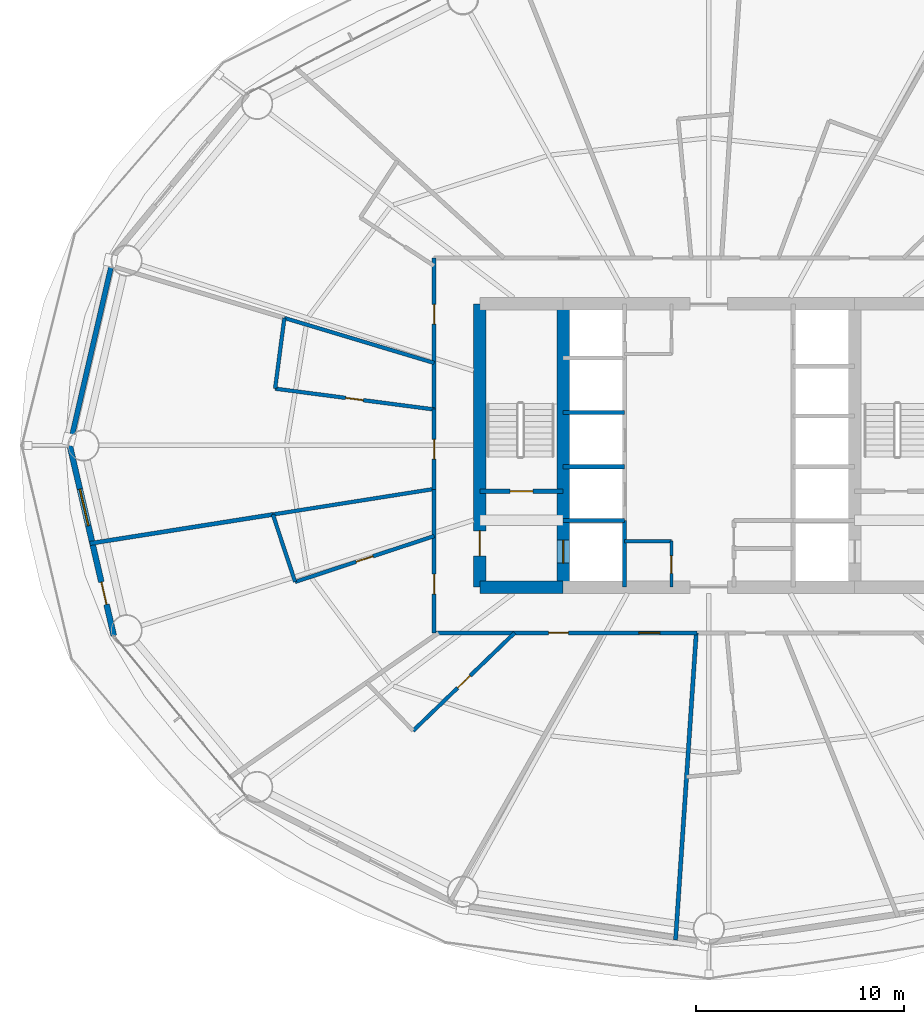
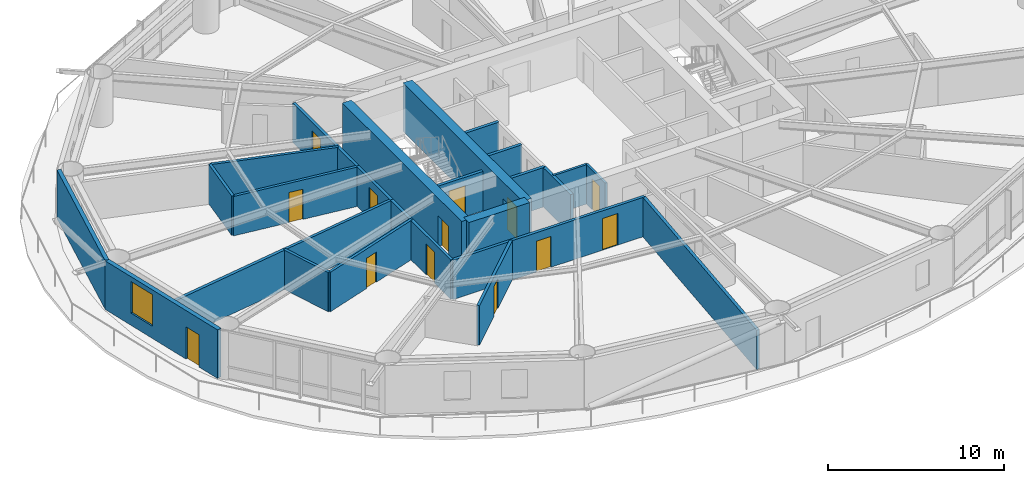
# One storey, part 22 of 28: 25 walls, 13 doors, 1 window, 14 openings.
"""IFC4 building model written with IfcOpenShell, lengths in metres."""

from ifc_helpers import new_model, si_unit, direction, frame, frame_2d, origin, place, context, subcontext, project, spatial, rectangle, extrude, material, layer, layer_set, type_object, element, fill, save


model = new_model("IFC4")

# Units and contexts
model_context = context("Model", 3, precision=1e-05, world=origin(), true_north=direction((0.0, 1.0)))
body_context = subcontext(model_context, "Body", "Model", "MODEL_VIEW")
ifc_project = project(units=[si_unit("LENGTHUNIT", "METRE"), si_unit("AREAUNIT", "SQUARE_METRE"), si_unit("VOLUMEUNIT", "CUBIC_METRE"), si_unit("PLANEANGLEUNIT", "RADIAN"), si_unit("MASSUNIT", "GRAM", prefix="KILO")], contexts=[model_context])

# Site, building, storey
site_placement = place(None, origin())
site = spatial("IfcSite", under=ifc_project, at=site_placement, CompositionType="ELEMENT")
building_placement = place(site_placement, origin())
building = spatial("IfcBuilding", under=site, at=building_placement, Name="Sarneth Arch Tower", CompositionType="ELEMENT")
storey_placement = place(building_placement, frame((0.0, 0.0, 67.800048828125)))
storey = spatial("IfcBuildingStorey", under=building, at=storey_placement, Name="L16", CompositionType="ELEMENT", Elevation=67.800048828125)

# Wall
ifc_material_1 = material(Name="Concrete C60/75", Category="concrete")
ifc_layer_1 = layer(ifc_material_1, 0.60009765625)
ifc_layer_set_1 = layer_set([ifc_layer_1], Name="Concrete C60/75")
wall_type_1 = type_object("IfcWallType", Name="WALL-CORE-600", PredefinedType="SHEAR", material=ifc_layer_set_1)
wall_1_placement = place(storey_placement, frame((37.0, 35.199951171875, 0.0), z_axis=(0.0, 0.0, 1.0), x_axis=(1.0, 0.0, 0.0)))
element("IfcWall", 1, at=wall_1_placement, inside=storey, type_object=wall_type_1, Name="L16 Core shear wall S-W", PredefinedType="SHEAR", context=body_context, shape_type="SweptSolid", body=[
    extrude(rectangle(XDim=4.0, YDim=0.60009765625, at=frame_2d((2.0, 0.0))), origin(), (0.0, 0.0, 1.0), 3.3798828125),
])

# Wall, opening, door
wall_2_placement = place(storey_placement, frame((37.0, 35.199951171875, 0.0), z_axis=(0.0, 0.0, 1.0), x_axis=(0.0, 1.0, 0.0)))
wall_2 = element("IfcWall", 2, at=wall_2_placement, inside=storey, type_object=wall_type_1, Name="L16 Core shear wall W", PredefinedType="SHEAR", context=body_context, shape_type="SweptSolid", body=[
    extrude(rectangle(XDim=13.60009765625, YDim=0.60009765625, at=frame_2d((6.800048828125, 0.0))), origin(), (0.0, 0.0, 1.0), 3.3798828125),
])
opening_1_placement = place(wall_2_placement, frame((1.5, 0.0, 0.0)))
opening_1 = element("IfcOpeningElement", 3, at=opening_1_placement, cuts=wall_2, Name="Opening FD-02", PredefinedType="OPENING", context=body_context, shape_type="SweptSolid", body=[
    extrude(rectangle(XDim=1.199951171875, YDim=2.14990234375, at=frame_2d((0.60009765625, 1.074951171875))), frame((0.0, 0.31005859375, 0.0), z_axis=(0.0, -1.0, 0.0), x_axis=(1.0, 0.0, 0.0)), (0.0, 0.0, 1.0), 0.6201171875),
])
ifc_material_2 = material(Name="Galvanised Steel S275 fire door set", Category="steel")
door_type_1 = type_object("IfcDoorType", Name="DR-FD90-1200", OperationType="SINGLE_SWING_LEFT", PredefinedType="DOOR", material=ifc_material_2)
door_1_placement = place(opening_1_placement, origin())
door_1 = element("IfcDoor", 4, at=door_1_placement, inside=storey, type_object=door_type_1, Name="L16 Firefighting lobby 1 exit door", OperationType="SINGLE_SWING_LEFT", OverallHeight=2.14990234375, OverallWidth=1.199951171875, PredefinedType="DOOR", context=body_context, shape_type="SweptSolid", body=[
    extrude(rectangle(XDim=1.199951171875, YDim=2.14990234375, at=frame_2d((0.60009765625, 1.074951171875))), frame((0.0, 0.02490234375, 0.0), z_axis=(0.0, -1.0, 0.0), x_axis=(1.0, 0.0, 0.0)), (0.0, 0.0, 1.0), 0.050048828125),
])
fill(opening_1, door_1)

wall_3_placement = place(storey_placement, frame((41.0, 35.199951171875, 0.0), z_axis=(0.0, 0.0, 1.0), x_axis=(0.0, 1.0, 0.0)))
wall_3 = element("IfcWall", 5, at=wall_3_placement, inside=storey, type_object=wall_type_1, Name="L16 Core shear wall WEB-W", PredefinedType="SHEAR", context=body_context, shape_type="SweptSolid", body=[
    extrude(rectangle(XDim=13.60009765625, YDim=0.60009765625, at=frame_2d((6.800048828125, 0.0))), origin(), (0.0, 0.0, 1.0), 3.3798828125),
])
opening_2_placement = place(wall_3_placement, frame((1.14990234375, 0.0, 0.0)))
opening_2 = element("IfcOpeningElement", 6, at=opening_2_placement, cuts=wall_3, Name="Opening LD-1", PredefinedType="OPENING", context=body_context, shape_type="SweptSolid", body=[
    extrude(rectangle(XDim=1.10009765625, YDim=2.199951171875, at=frame_2d((0.550048828125, 1.10009765625))), frame((0.0, 0.31005859375, 0.0), z_axis=(0.0, -1.0, 0.0), x_axis=(1.0, 0.0, 0.0)), (0.0, 0.0, 1.0), 0.6201171875),
])
ifc_material_3 = material(Name="Brushed Stainless Steel 304 lift landing door", Category="steel")
door_type_2 = type_object("IfcDoorType", Name="DR-LIFT-SLIDE-1100", OperationType="SLIDING_TO_LEFT", PredefinedType="DOOR", material=ifc_material_3)
door_2_placement = place(opening_2_placement, origin())
door_2 = element("IfcDoor", 7, at=door_2_placement, inside=storey, type_object=door_type_2, Name="L16 Firefighting lift landing door FL-1", OperationType="SLIDING_TO_LEFT", OverallHeight=2.199951171875, OverallWidth=1.10009765625, PredefinedType="DOOR", context=body_context, shape_type="SweptSolid", body=[
    extrude(rectangle(XDim=1.10009765625, YDim=2.199951171875, at=frame_2d((0.550048828125, 1.10009765625))), frame((0.0, 0.02490234375, 0.0), z_axis=(0.0, -1.0, 0.0), x_axis=(1.0, 0.0, 0.0)), (0.0, 0.0, 1.0), 0.050048828125),
])
fill(opening_2, door_2)

ifc_material_4 = material(Name="Double steel-stud corridor fire wall", Category="steel")
ifc_layer_2 = layer(ifc_material_4, 0.18994140625)
ifc_layer_set_2 = layer_set([ifc_layer_2], Name="Double steel-stud corridor fire wall")
wall_type_2 = type_object("IfcWallType", Name="WALL-CORR-190", PredefinedType="PARTITIONING", material=ifc_layer_set_2)
wall_4_placement = place(storey_placement, frame((34.800048828125, 43.727783203125, 0.0), z_axis=(0.0, 0.0, 1.0), x_axis=(0.0, 1.0, 0.0)))
wall_4 = element("IfcWall", 8, at=wall_4_placement, inside=storey, type_object=wall_type_2, Name="L16 Interior partition W-L16-TP-010", PredefinedType="PARTITIONING", context=body_context, shape_type="SweptSolid", body=[
    extrude(rectangle(XDim=7.272216796875, YDim=0.18994140625, at=frame_2d((3.63623046875, 0.0))), origin(), (0.0, 0.0, 1.0), 2.739990234375),
])
opening_3_placement = place(wall_4_placement, frame((4.095703125, 0.0, 0.0)))
opening_3 = element("IfcOpeningElement", 9, at=opening_3_placement, cuts=wall_4, Name="Opening FD-09", PredefinedType="OPENING", context=body_context, shape_type="SweptSolid", body=[
    extrude(rectangle(XDim=0.949951171875, YDim=2.14990234375, at=frame_2d((0.47509765625, 1.074951171875))), frame((0.0, 0.10498046875, 0.0), z_axis=(0.0, -1.0, 0.0), x_axis=(1.0, 0.0, 0.0)), (0.0, 0.0, 1.0), 0.2099609375),
])
ifc_material_5 = material(Name="Hardwood timber hotel entrance fire door", Category="wood")
door_type_3 = type_object("IfcDoorType", Name="DR-FD60-950", OperationType="SINGLE_SWING_RIGHT", PredefinedType="DOOR", material=ifc_material_5)
door_3_placement = place(opening_3_placement, origin())
door_3 = element("IfcDoor", 10, at=door_3_placement, inside=storey, type_object=door_type_3, Name="L16 Interior door DR-L16-KEY-06", OperationType="SINGLE_SWING_RIGHT", OverallHeight=2.14990234375, OverallWidth=0.949951171875, PredefinedType="DOOR", context=body_context, shape_type="SweptSolid", body=[
    extrude(rectangle(XDim=0.949951171875, YDim=2.14990234375, at=frame_2d((0.47509765625, 1.074951171875))), frame((0.0, 0.02490234375, 0.0), z_axis=(0.0, -1.0, 0.0), x_axis=(1.0, 0.0, 0.0)), (0.0, 0.0, 1.0), 0.050048828125),
])
fill(opening_3, door_3)

wall_5_placement = place(storey_placement, frame((34.800048828125, 33.0, 0.0), z_axis=(0.0, 0.0, 1.0), x_axis=(0.0, 1.0, 0.0)))
wall_5 = element("IfcWall", 11, at=wall_5_placement, inside=storey, type_object=wall_type_2, Name="L16 Interior partition W-L16-TP-016", PredefinedType="PARTITIONING", context=body_context, shape_type="SweptSolid", body=[
    extrude(rectangle(XDim=6.941650390625, YDim=0.18994140625, at=frame_2d((3.470703125, 0.0))), origin(), (0.0, 0.0, 1.0), 2.739990234375),
])
opening_4_placement = place(wall_5_placement, frame((1.864501953125, 0.0, 0.0)))
opening_4 = element("IfcOpeningElement", 12, at=opening_4_placement, cuts=wall_5, Name="Opening FD-09", PredefinedType="OPENING", context=body_context, shape_type="SweptSolid", body=[
    extrude(rectangle(XDim=0.949951171875, YDim=2.14990234375, at=frame_2d((0.47509765625, 1.074951171875))), frame((0.0, 0.10498046875, 0.0), z_axis=(0.0, -1.0, 0.0), x_axis=(1.0, 0.0, 0.0)), (0.0, 0.0, 1.0), 0.2099609375),
])
door_4_placement = place(opening_4_placement, origin())
door_4 = element("IfcDoor", 13, at=door_4_placement, inside=storey, type_object=door_type_3, Name="L16 Interior door DR-L16-KEY-08", OperationType="SINGLE_SWING_LEFT", OverallHeight=2.14990234375, OverallWidth=0.949951171875, PredefinedType="DOOR", context=body_context, shape_type="SweptSolid", body=[
    extrude(rectangle(XDim=0.949951171875, YDim=2.14990234375, at=frame_2d((0.47509765625, 1.074951171875))), frame((0.0, 0.02490234375, 0.0), z_axis=(0.0, -1.0, 0.0), x_axis=(1.0, 0.0, 0.0)), (0.0, 0.0, 1.0), 0.050048828125),
])
fill(opening_4, door_4)

# Wall, openings, doors
wall_6_placement = place(storey_placement, frame((47.42529296875, 33.0, 0.0), z_axis=(0.0, 0.0, 1.0), x_axis=(-1.0, 0.0, 0.0)))
wall_6 = element("IfcWall", 14, at=wall_6_placement, inside=storey, type_object=wall_type_2, Name="L16 Interior partition W-L16-TP-020", PredefinedType="PARTITIONING", context=body_context, shape_type="SweptSolid", body=[
    extrude(rectangle(XDim=12.625244140625, YDim=0.18994140625, at=frame_2d((6.3125, 0.0))), origin(), (0.0, 0.0, 1.0), 2.739990234375),
])
opening_5_placement = place(wall_6_placement, frame((1.784423828125, 0.0, 0.0)))
opening_5 = element("IfcOpeningElement", 15, at=opening_5_placement, cuts=wall_6, Name="Opening FD-08", PredefinedType="OPENING", context=body_context, shape_type="SweptSolid", body=[
    extrude(rectangle(XDim=1.0, YDim=2.199951171875, at=frame_2d((0.5, 1.10009765625))), frame((0.0, 0.10498046875, 0.0), z_axis=(0.0, -1.0, 0.0), x_axis=(1.0, 0.0, 0.0)), (0.0, 0.0, 1.0), 0.2099609375),
])
opening_6_placement = place(wall_6_placement, frame((6.1728515625, 0.0, 0.0)))
opening_6 = element("IfcOpeningElement", 16, at=opening_6_placement, cuts=wall_6, Name="Opening FD-09", PredefinedType="OPENING", context=body_context, shape_type="SweptSolid", body=[
    extrude(rectangle(XDim=0.949951171875, YDim=2.14990234375, at=frame_2d((0.47509765625, 1.074951171875))), frame((0.0, 0.10498046875, 0.0), z_axis=(0.0, -1.0, 0.0), x_axis=(1.0, 0.0, 0.0)), (0.0, 0.0, 1.0), 0.2099609375),
])
ifc_material_6 = material(Name="Hardwood timber acoustic fire door", Category="wood")
door_type_4 = type_object("IfcDoorType", Name="DR-FD60-1000", OperationType="SINGLE_SWING_LEFT", PredefinedType="DOOR", material=ifc_material_6)
door_5_placement = place(opening_5_placement, origin())
door_5 = element("IfcDoor", 17, at=door_5_placement, inside=storey, type_object=door_type_4, Name="L16 Interior door DR-L16-AMN-10", OperationType="SINGLE_SWING_RIGHT", OverallHeight=2.199951171875, OverallWidth=1.0, PredefinedType="DOOR", context=body_context, shape_type="SweptSolid", body=[
    extrude(rectangle(XDim=1.0, YDim=2.199951171875, at=frame_2d((0.5, 1.10009765625))), frame((0.0, 0.02490234375, 0.0), z_axis=(0.0, -1.0, 0.0), x_axis=(1.0, 0.0, 0.0)), (0.0, 0.0, 1.0), 0.050048828125),
])
fill(opening_5, door_5)
door_6_placement = place(opening_6_placement, origin())
door_6 = element("IfcDoor", 18, at=door_6_placement, inside=storey, type_object=door_type_3, Name="L16 Interior door DR-L16-KEY-09", OperationType="SINGLE_SWING_RIGHT", OverallHeight=2.14990234375, OverallWidth=0.949951171875, PredefinedType="DOOR", context=body_context, shape_type="SweptSolid", body=[
    extrude(rectangle(XDim=0.949951171875, YDim=2.14990234375, at=frame_2d((0.47509765625, 1.074951171875))), frame((0.0, 0.02490234375, 0.0), z_axis=(0.0, -1.0, 0.0), x_axis=(1.0, 0.0, 0.0)), (0.0, 0.0, 1.0), 0.050048828125),
])
fill(opening_6, door_6)

# Wall, opening, door
wall_7_placement = place(storey_placement, frame((34.800048828125, 39.876953125, 0.0), z_axis=(0.0, 0.0, 1.0), x_axis=(0.0, 1.0, 0.0)))
wall_7 = element("IfcWall", 19, at=wall_7_placement, inside=storey, type_object=wall_type_2, Name="L16 Interior partition W-L16-TP-013", PredefinedType="PARTITIONING", context=body_context, shape_type="SweptSolid", body=[
    extrude(rectangle(XDim=3.883056640625, YDim=0.18994140625, at=frame_2d((1.94140625, 0.0))), origin(), (0.0, 0.0, 1.0), 2.739990234375),
])
opening_7_placement = place(wall_7_placement, frame((1.466552734375, 0.0, 0.0)))
opening_7 = element("IfcOpeningElement", 20, at=opening_7_placement, cuts=wall_7, Name="Opening FD-09", PredefinedType="OPENING", context=body_context, shape_type="SweptSolid", body=[
    extrude(rectangle(XDim=0.949951171875, YDim=2.14990234375, at=frame_2d((0.47509765625, 1.074951171875))), frame((0.0, 0.10498046875, 0.0), z_axis=(0.0, -1.0, 0.0), x_axis=(1.0, 0.0, 0.0)), (0.0, 0.0, 1.0), 0.2099609375),
])
door_7_placement = place(opening_7_placement, origin())
door_7 = element("IfcDoor", 21, at=door_7_placement, inside=storey, type_object=door_type_3, Name="L16 Interior door DR-L16-KEY-07", OperationType="SINGLE_SWING_LEFT", OverallHeight=2.14990234375, OverallWidth=0.949951171875, PredefinedType="DOOR", context=body_context, shape_type="SweptSolid", body=[
    extrude(rectangle(XDim=0.949951171875, YDim=2.14990234375, at=frame_2d((0.47509765625, 1.074951171875))), frame((0.0, 0.02490234375, 0.0), z_axis=(0.0, -1.0, 0.0), x_axis=(1.0, 0.0, 0.0)), (0.0, 0.0, 1.0), 0.050048828125),
])
fill(opening_7, door_7)

# Wall
ifc_material_7 = material(Name="Extruded terracotta rainscreen on Concrete C40/50 backing", Category="masonry")
ifc_layer_3 = layer(ifc_material_7, 0.25)
ifc_layer_set_3 = layer_set([ifc_layer_3], Name="Extruded terracotta rainscreen on Concrete C40/50 backing")
wall_type_3 = type_object("IfcWallType", Name="WALL-EXT-SPAND-250", PredefinedType="SOLIDWALL", material=ifc_layer_set_3)
wall_8_placement = place(storey_placement, frame((19.4189453125, 51.138427734375, 0.0), z_axis=(0.0, 0.0, 1.0), x_axis=(-0.225454452941, -0.974253709076, 0.0)))
element("IfcWall", 22, at=wall_8_placement, inside=storey, type_object=wall_type_3, Name="L16 Terracotta perimeter wall 08", PredefinedType="SOLIDWALL", context=body_context, shape_type="SweptSolid", body=[
    extrude(rectangle(XDim=9.3798828125, YDim=0.25, at=frame_2d((4.68994140625, 0.0))), origin(), (0.0, 0.0, 1.0), 3.3798828125),
])

# Wall, openings, door, window
ifc_material_8 = material(Name="Extruded terracotta rainscreen on Concrete C40/50 backing", Category="masonry")
ifc_layer_4 = layer(ifc_material_8, 0.280029296875)
ifc_layer_set_4 = layer_set([ifc_layer_4], Name="Extruded terracotta rainscreen on Concrete C40/50 backing")
wall_type_4 = type_object("IfcWallType", Name="WALL-EXT-TERRA-280", PredefinedType="SOLIDWALL", material=ifc_layer_set_4)
wall_9_placement = place(storey_placement, frame((17.30419921875, 42.0, 0.0), z_axis=(0.0, 0.0, 1.0), x_axis=(0.225454452941, -0.974253709076, 0.0)))
wall_9 = element("IfcWall", 23, at=wall_9_placement, inside=storey, type_object=wall_type_4, Name="L16 Terracotta perimeter wall 09", PredefinedType="SOLIDWALL", context=body_context, shape_type="SweptSolid", body=[
    extrude(rectangle(XDim=9.3798828125, YDim=0.280029296875, at=frame_2d((4.68994140625, 0.0))), origin(), (0.0, 0.0, 1.0), 3.3798828125),
])
opening_8_placement = place(wall_9_placement, frame((2.152099609375, 0.0, 0.85009765625)))
opening_8 = element("IfcOpeningElement", 24, at=opening_8_placement, cuts=wall_9, Name="Opening W-04", PredefinedType="OPENING", context=body_context, shape_type="SweptSolid", body=[
    extrude(rectangle(XDim=1.800048828125, YDim=2.199951171875, at=frame_2d((0.89990234375, 1.10009765625))), frame((0.0, 0.14990234375, 0.0), z_axis=(0.0, -1.0, 0.0), x_axis=(1.0, 0.0, 0.0)), (0.0, 0.0, 1.0), 0.300048828125),
])
opening_9_placement = place(wall_9_placement, frame((6.735107421875, 0.0, 0.0)))
opening_9 = element("IfcOpeningElement", 25, at=opening_9_placement, cuts=wall_9, Name="Opening BD-3", PredefinedType="OPENING", context=body_context, shape_type="SweptSolid", body=[
    extrude(rectangle(XDim=1.10009765625, YDim=2.25, at=frame_2d((0.550048828125, 1.125))), frame((0.0, 0.14990234375, 0.0), z_axis=(0.0, -1.0, 0.0), x_axis=(1.0, 0.0, 0.0)), (0.0, 0.0, 1.0), 0.300048828125),
])
ifc_material_9 = material(Name="Thermally broken Aluminium 6063-T6 and laminated safety glass", Category="aluminium")
door_type_5 = type_object("IfcDoorType", Name="DR-BALC-GLZ-1100", OperationType="SINGLE_SWING_LEFT", PredefinedType="DOOR", material=ifc_material_9)
door_8_placement = place(opening_9_placement, origin())
door_8 = element("IfcDoor", 26, at=door_8_placement, inside=storey, type_object=door_type_5, Name="L16 Balcony glazed door 09", OperationType="SINGLE_SWING_LEFT", OverallHeight=2.25, OverallWidth=1.10009765625, PredefinedType="DOOR", context=body_context, shape_type="SweptSolid", body=[
    extrude(rectangle(XDim=1.10009765625, YDim=2.25, at=frame_2d((0.550048828125, 1.125))), frame((0.0, 0.02490234375, 0.0), z_axis=(0.0, -1.0, 0.0), x_axis=(1.0, 0.0, 0.0)), (0.0, 0.0, 1.0), 0.050048828125),
])
fill(opening_9, door_8)
ifc_material_10 = material(Name="Thermally broken Aluminium 6063-T6 and low-e laminated IGU", Category="aluminium")
window_type = type_object("IfcWindowType", Name="WIN-TWR-1800x2200", PartitioningType="DOUBLE_PANEL_VERTICAL", PredefinedType="WINDOW", material=ifc_material_10)
window_placement = place(opening_8_placement, origin())
window = element("IfcWindow", 27, at=window_placement, inside=storey, type_object=window_type, Name="L16 Exterior window 09A", OverallHeight=2.199951171875, OverallWidth=1.800048828125, PartitioningType="SINGLE_PANEL", PredefinedType="WINDOW", context=body_context, shape_type="SweptSolid", body=[
    extrude(rectangle(XDim=1.800048828125, YDim=2.199951171875, at=frame_2d((0.89990234375, 1.10009765625))), frame((0.0, 0.030029296875, 0.0), z_axis=(0.0, -1.0, 0.0), x_axis=(1.0, 0.0, 0.0)), (0.0, 0.0, 1.0), 0.06005859375),
])
fill(opening_8, window)

# Wall
ifc_material_11 = material(Name="Acoustic gypsum stud partition", Category="gypsum")
ifc_layer_5 = layer(ifc_material_11, 0.14990234375)
ifc_layer_set_5 = layer_set([ifc_layer_5], Name="Acoustic gypsum stud partition")
wall_type_5 = type_object("IfcWallType", Name="WALL-PART-150", PredefinedType="PARTITIONING", material=ifc_layer_set_5)
wall_10_placement = place(storey_placement, frame((43.949951171875, 37.39990234375, 0.0), z_axis=(0.0, 0.0, 1.0), x_axis=(1.0, 0.0, 0.0)))
element("IfcWall", 28, at=wall_10_placement, inside=storey, type_object=wall_type_5, Name="L16 Interior partition W-L16-CSUP1-N", PredefinedType="PARTITIONING", context=body_context, shape_type="SweptSolid", body=[
    extrude(rectangle(XDim=2.25, YDim=0.14990234375, at=frame_2d((1.125, 0.0))), origin(), (0.0, 0.0, 1.0), 2.739990234375),
])

# Wall, opening, door
wall_11_placement = place(storey_placement, frame((46.199951171875, 35.199951171875, 0.0), z_axis=(0.0, 0.0, 1.0), x_axis=(0.0, 1.0, 0.0)))
wall_11 = element("IfcWall", 29, at=wall_11_placement, inside=storey, type_object=wall_type_5, Name="L16 Interior partition W-L16-CSUP1-E", PredefinedType="PARTITIONING", context=body_context, shape_type="SweptSolid", body=[
    extrude(rectangle(XDim=2.199951171875, YDim=0.14990234375, at=frame_2d((1.10009765625, 0.0))), origin(), (0.0, 0.0, 1.0), 2.739990234375),
])
opening_10_placement = place(wall_11_placement, frame((0.64990234375, 0.0, 0.0)))
opening_10 = element("IfcOpeningElement", 30, at=opening_10_placement, cuts=wall_11, Name="Opening FD-11", PredefinedType="OPENING", context=body_context, shape_type="SweptSolid", body=[
    extrude(rectangle(XDim=0.85009765625, YDim=2.14990234375, at=frame_2d((0.425048828125, 1.074951171875))), frame((0.0, 0.0849609375, 0.0), z_axis=(0.0, -1.0, 0.0), x_axis=(1.0, 0.0, 0.0)), (0.0, 0.0, 1.0), 0.169921875),
])
ifc_material_12 = material(Name="Galvanised Steel S275 closet fire door", Category="steel")
door_type_6 = type_object("IfcDoorType", Name="DR-FD60-850", OperationType="SINGLE_SWING_LEFT", PredefinedType="DOOR", material=ifc_material_12)
door_9_placement = place(opening_10_placement, origin())
door_9 = element("IfcDoor", 31, at=door_9_placement, inside=storey, type_object=door_type_6, Name="L16 Interior door DR-L16-CSUP1", OperationType="SINGLE_SWING_LEFT", OverallHeight=2.14990234375, OverallWidth=0.85009765625, PredefinedType="DOOR", context=body_context, shape_type="SweptSolid", body=[
    extrude(rectangle(XDim=0.85009765625, YDim=2.14990234375, at=frame_2d((0.425048828125, 1.074951171875))), frame((0.0, 0.02490234375, 0.0), z_axis=(0.0, -1.0, 0.0), x_axis=(1.0, 0.0, 0.0)), (0.0, 0.0, 1.0), 0.050048828125),
])
fill(opening_10, door_9)

# Wall
ifc_material_13 = material(Name="Moisture-resistant plumbing chase wall", Category="gypsum")
ifc_layer_6 = layer(ifc_material_13, 0.179931640625)
ifc_layer_set_6 = layer_set([ifc_layer_6], Name="Moisture-resistant plumbing chase wall")
wall_type_6 = type_object("IfcWallType", Name="WALL-PLUMB-180", PredefinedType="PLUMBINGWALL", material=ifc_layer_set_6)
wall_12_placement = place(storey_placement, frame((27.059814453125, 38.683349609375, 0.0), z_axis=(0.0, 0.0, 1.0), x_axis=(0.987690363599, 0.156421691762, 0.0)))
element("IfcWall", 32, at=wall_12_placement, inside=storey, type_object=wall_type_6, Name="L16 Interior partition W-L16-TP-052", PredefinedType="PLUMBINGWALL", context=body_context, shape_type="SweptSolid", body=[
    extrude(rectangle(XDim=7.836669921875, YDim=0.179931640625, at=frame_2d((3.91845703125, 0.0))), origin(), (0.0, 0.0, 1.0), 2.739990234375),
])

# Wall, opening, door
wall_13_placement = place(storey_placement, frame((34.800048828125, 43.727783203125, 0.0), z_axis=(0.0, 0.0, 1.0), x_axis=(-0.991543548491, 0.129774386708, 0.0)))
wall_13 = element("IfcWall", 33, at=wall_13_placement, inside=storey, type_object=wall_type_6, Name="L16 Interior partition W-L16-TP-049", PredefinedType="PLUMBINGWALL", context=body_context, shape_type="SweptSolid", body=[
    extrude(rectangle(XDim=7.6982421875, YDim=0.179931640625, at=frame_2d((3.84912109375, 0.0))), origin(), (0.0, 0.0, 1.0), 2.739990234375),
])
opening_11_placement = place(wall_13_placement, frame((3.424072265625, 0.0, 0.0)))
opening_11 = element("IfcOpeningElement", 34, at=opening_11_placement, cuts=wall_13, Name="Opening ID-02", PredefinedType="OPENING", context=body_context, shape_type="SweptSolid", body=[
    extrude(rectangle(XDim=0.85009765625, YDim=2.10009765625, at=frame_2d((0.425048828125, 1.050048828125))), frame((0.0, 0.099853515625, 0.0), z_axis=(0.0, -1.0, 0.0), x_axis=(1.0, 0.0, 0.0)), (0.0, 0.0, 1.0), 0.199951171875),
])
ifc_material_14 = material(Name="Moisture-resistant bathroom timber door", Category="wood")
door_type_7 = type_object("IfcDoorType", Name="DR-INT-850", OperationType="SINGLE_SWING_RIGHT", PredefinedType="DOOR", material=ifc_material_14)
door_10_placement = place(opening_11_placement, origin())
door_10 = element("IfcDoor", 35, at=door_10_placement, inside=storey, type_object=door_type_7, Name="L16 Interior door DR-L16-ENS-07", OperationType="SINGLE_SWING_LEFT", OverallHeight=2.10009765625, OverallWidth=0.85009765625, PredefinedType="DOOR", context=body_context, shape_type="SweptSolid", body=[
    extrude(rectangle(XDim=0.85009765625, YDim=2.10009765625, at=frame_2d((0.425048828125, 1.050048828125))), frame((0.0, 0.02490234375, 0.0), z_axis=(0.0, -1.0, 0.0), x_axis=(1.0, 0.0, 0.0)), (0.0, 0.0, 1.0), 0.050048828125),
])
fill(opening_11, door_10)

# Wall
wall_14_placement = place(storey_placement, frame((27.611572265625, 48.122314453125, 0.0), z_axis=(0.0, 0.0, 1.0), x_axis=(0.95775642604, -0.28758064674, 0.0)))
element("IfcWall", 36, at=wall_14_placement, inside=storey, type_object=wall_type_6, Name="L16 Interior partition W-L16-TP-048", PredefinedType="PLUMBINGWALL", context=body_context, shape_type="SweptSolid", body=[
    extrude(rectangle(XDim=7.505615234375, YDim=0.179931640625, at=frame_2d((3.7529296875, 0.0))), origin(), (0.0, 0.0, 1.0), 2.739990234375),
])

# Wall, opening, door
wall_15_placement = place(storey_placement, frame((34.800048828125, 37.6455078125, 0.0), z_axis=(0.0, 0.0, 1.0), x_axis=(-0.949662150081, -0.313275917849, 0.0)))
wall_15 = element("IfcWall", 37, at=wall_15_placement, inside=storey, type_object=wall_type_6, Name="L16 Interior partition W-L16-TP-053", PredefinedType="PLUMBINGWALL", context=body_context, shape_type="SweptSolid", body=[
    extrude(rectangle(XDim=7.025634765625, YDim=0.179931640625, at=frame_2d((3.5126953125, 0.0))), origin(), (0.0, 0.0, 1.0), 2.739990234375),
])
opening_12_placement = place(wall_15_placement, frame((3.087646484375, 0.0, 0.0)))
opening_12 = element("IfcOpeningElement", 38, at=opening_12_placement, cuts=wall_15, Name="Opening ID-02", PredefinedType="OPENING", context=body_context, shape_type="SweptSolid", body=[
    extrude(rectangle(XDim=0.85009765625, YDim=2.10009765625, at=frame_2d((0.425048828125, 1.050048828125))), frame((0.0, 0.099853515625, 0.0), z_axis=(0.0, -1.0, 0.0), x_axis=(1.0, 0.0, 0.0)), (0.0, 0.0, 1.0), 0.199951171875),
])
door_11_placement = place(opening_12_placement, origin())
door_11 = element("IfcDoor", 39, at=door_11_placement, inside=storey, type_object=door_type_7, Name="L16 Interior door DR-L16-ENS-08", OperationType="SINGLE_SWING_LEFT", OverallHeight=2.10009765625, OverallWidth=0.85009765625, PredefinedType="DOOR", context=body_context, shape_type="SweptSolid", body=[
    extrude(rectangle(XDim=0.85009765625, YDim=2.10009765625, at=frame_2d((0.425048828125, 1.050048828125))), frame((0.0, 0.02490234375, 0.0), z_axis=(0.0, -1.0, 0.0), x_axis=(1.0, 0.0, 0.0)), (0.0, 0.0, 1.0), 0.050048828125),
])
fill(opening_12, door_11)

wall_16_placement = place(storey_placement, frame((33.798095703125, 28.298828125, 0.0), z_axis=(0.0, 0.0, 1.0), x_axis=(0.719667322044, 0.69431905172, 0.0)))
wall_16 = element("IfcWall", 40, at=wall_16_placement, inside=storey, type_object=wall_type_6, Name="L16 Interior partition W-L16-TP-058", PredefinedType="PLUMBINGWALL", context=body_context, shape_type="SweptSolid", body=[
    extrude(rectangle(XDim=6.77099609375, YDim=0.179931640625, at=frame_2d((3.385498046875, 0.0))), origin(), (0.0, 0.0, 1.0), 2.739990234375),
])
opening_13_placement = place(wall_16_placement, frame((2.96044921875, 0.0, 0.0)))
opening_13 = element("IfcOpeningElement", 41, at=opening_13_placement, cuts=wall_16, Name="Opening ID-02", PredefinedType="OPENING", context=body_context, shape_type="SweptSolid", body=[
    extrude(rectangle(XDim=0.85009765625, YDim=2.10009765625, at=frame_2d((0.425048828125, 1.050048828125))), frame((0.0, 0.099853515625, 0.0), z_axis=(0.0, -1.0, 0.0), x_axis=(1.0, 0.0, 0.0)), (0.0, 0.0, 1.0), 0.199951171875),
])
door_12_placement = place(opening_13_placement, origin())
door_12 = element("IfcDoor", 42, at=door_12_placement, inside=storey, type_object=door_type_7, Name="L16 Interior door DR-L16-ENS-09", OperationType="SINGLE_SWING_LEFT", OverallHeight=2.10009765625, OverallWidth=0.85009765625, PredefinedType="DOOR", context=body_context, shape_type="SweptSolid", body=[
    extrude(rectangle(XDim=0.85009765625, YDim=2.10009765625, at=frame_2d((0.425048828125, 1.050048828125))), frame((0.0, 0.02490234375, 0.0), z_axis=(0.0, -1.0, 0.0), x_axis=(1.0, 0.0, 0.0)), (0.0, 0.0, 1.0), 0.050048828125),
])
fill(opening_13, door_12)

# Walls
wall_17_placement = place(storey_placement, frame((27.1669921875, 44.726806640625, 0.0), z_axis=(0.0, 0.0, 1.0), x_axis=(0.129823772588, 0.991537083558, 0.0)))
element("IfcWall", 43, at=wall_17_placement, inside=storey, type_object=wall_type_6, Name="L16 Interior partition W-L16-TP-050", PredefinedType="PLUMBINGWALL", context=body_context, shape_type="SweptSolid", body=[
    extrude(rectangle(XDim=3.424560546875, YDim=0.179931640625, at=frame_2d((1.71240234375, 0.0))), origin(), (0.0, 0.0, 1.0), 2.739990234375),
])
wall_18_placement = place(storey_placement, frame((28.128173828125, 35.444580078125, 0.0), z_axis=(0.0, 0.0, 1.0), x_axis=(-0.313262541659, 0.949666562533, 0.0)))
element("IfcWall", 44, at=wall_18_placement, inside=storey, type_object=wall_type_6, Name="L16 Interior partition W-L16-TP-054", PredefinedType="PLUMBINGWALL", context=body_context, shape_type="SweptSolid", body=[
    extrude(rectangle(XDim=3.410400390625, YDim=0.179931640625, at=frame_2d((1.705078125, 0.0))), origin(), (0.0, 0.0, 1.0), 2.739990234375),
])

# Wall, opening, door
ifc_material_15 = material(Name="Aerated concrete blockwork C25/30", Category="masonry")
ifc_layer_7 = layer(ifc_material_15, 0.199951171875)
ifc_layer_set_7 = layer_set([ifc_layer_7], Name="Aerated concrete blockwork C25/30")
wall_type_7 = type_object("IfcWallType", Name="WALL-SHAFT-200", PredefinedType="SOLIDWALL", material=ifc_layer_set_7)
wall_19_placement = place(storey_placement, frame((37.0, 39.800048828125, 0.0), z_axis=(0.0, 0.0, 1.0), x_axis=(1.0, 0.0, 0.0)))
wall_19 = element("IfcWall", 45, at=wall_19_placement, inside=storey, type_object=wall_type_7, Name="L16 Interior partition W-L16-ST1-S", PredefinedType="SOLIDWALL", context=body_context, shape_type="SweptSolid", body=[
    extrude(rectangle(XDim=4.0, YDim=0.199951171875, at=frame_2d((2.0, 0.0))), origin(), (0.0, 0.0, 1.0), 2.739990234375),
])
opening_14_placement = place(wall_19_placement, frame((1.449951171875, 0.0, 0.0)))
opening_14 = element("IfcOpeningElement", 46, at=opening_14_placement, cuts=wall_19, Name="Opening FD-03", PredefinedType="OPENING", context=body_context, shape_type="SweptSolid", body=[
    extrude(rectangle(XDim=1.10009765625, YDim=2.14990234375, at=frame_2d((0.550048828125, 1.074951171875))), frame((0.0, 0.10986328125, 0.0), z_axis=(0.0, -1.0, 0.0), x_axis=(1.0, 0.0, 0.0)), (0.0, 0.0, 1.0), 0.219970703125),
])
ifc_material_16 = material(Name="Galvanised Steel S275 fire door set", Category="steel")
door_type_8 = type_object("IfcDoorType", Name="DR-FD90-1100", OperationType="SINGLE_SWING_LEFT", PredefinedType="DOOR", material=ifc_material_16)
door_13_placement = place(opening_14_placement, origin())
door_13 = element("IfcDoor", 47, at=door_13_placement, inside=storey, type_object=door_type_8, Name="L16 Interior door DR-L16-ST1", OperationType="SINGLE_SWING_LEFT", OverallHeight=2.14990234375, OverallWidth=1.10009765625, PredefinedType="DOOR", context=body_context, shape_type="SweptSolid", body=[
    extrude(rectangle(XDim=1.10009765625, YDim=2.14990234375, at=frame_2d((0.550048828125, 1.074951171875))), frame((0.0, 0.02490234375, 0.0), z_axis=(0.0, -1.0, 0.0), x_axis=(1.0, 0.0, 0.0)), (0.0, 0.0, 1.0), 0.050048828125),
])
fill(opening_14, door_13)

# Walls
wall_20_placement = place(storey_placement, frame((43.949951171875, 35.199951171875, 0.0), z_axis=(0.0, 0.0, 1.0), x_axis=(0.0, 1.0, 0.0)))
element("IfcWall", 48, at=wall_20_placement, inside=storey, type_object=wall_type_7, Name="L16 Interior partition W-L16-FL1-E", PredefinedType="SOLIDWALL", context=body_context, shape_type="SweptSolid", body=[
    extrude(rectangle(XDim=3.199951171875, YDim=0.199951171875, at=frame_2d((1.60009765625, 0.0))), origin(), (0.0, 0.0, 1.0), 2.739990234375),
])
for number, where, z_axis, x_axis, name in (
    (49, (41.0, 38.39990234375, 0.0), (0.0, 0.0, 1.0), (1.0, 0.0, 0.0), "L16 Interior partition W-L16-FL1-N"),
    (50, (41.0, 40.97998046875, 0.0), (0.0, 0.0, 1.0), (1.0, 0.0, 0.0), "L16 Interior partition W-L16-WB-DIV-4098"),
    (51, (41.0, 43.580078125, 0.0), (0.0, 0.0, 1.0), (1.0, 0.0, 0.0), "L16 Interior partition W-L16-WB-DIV-4358"),
):
    element("IfcWall", number, at=place(storey_placement, frame(where, z_axis=z_axis, x_axis=x_axis)), inside=storey, type_object=wall_type_7, Name=name, PredefinedType="SOLIDWALL", context=body_context, shape_type="SweptSolid", body=[
        extrude(rectangle(XDim=2.949951171875, YDim=0.199951171875, at=frame_2d((1.47509765625, 0.0))), origin(), (0.0, 0.0, 1.0), 2.739990234375),
    ])
ifc_material_17 = material(Name="Double steel-stud acoustic drywall", Category="steel")
ifc_layer_8 = layer(ifc_material_17, 0.199951171875)
ifc_layer_set_8 = layer_set([ifc_layer_8], Name="Double steel-stud acoustic drywall")
wall_type_8 = type_object("IfcWallType", Name="WALL-UNIT-200", PredefinedType="PARTITIONING", material=ifc_layer_set_8)
wall_21_placement = place(storey_placement, frame((18.27099609375, 37.29150390625, 0.0), z_axis=(0.0, 0.0, 1.0), x_axis=(0.987691229297, 0.156416225401, 0.0)))
element("IfcWall", 52, at=wall_21_placement, inside=storey, type_object=wall_type_8, Name="L16 Interior partition W-L16-TP-051", PredefinedType="PARTITIONING", context=body_context, shape_type="SweptSolid", body=[
    extrude(rectangle(XDim=8.8984375, YDim=0.199951171875, at=frame_2d((4.44921875, 0.0))), origin(), (0.0, 0.0, 1.0), 2.739990234375),
])
wall_22_placement = place(storey_placement, frame((47.393310546875, 33.0, 0.0), z_axis=(0.0, 0.0, 1.0), x_axis=(-0.067284649742, -0.997733820169, 0.0)))
element("IfcWall", 53, at=wall_22_placement, inside=storey, type_object=wall_type_8, Name="L16 Interior partition W-L16-TP-060", PredefinedType="PARTITIONING", context=body_context, shape_type="SweptSolid", body=[
    extrude(rectangle(XDim=14.793212890625, YDim=0.199951171875, at=frame_2d((7.396484375, 0.0))), origin(), (0.0, 0.0, 1.0), 2.739990234375),
])

save(model, "model.ifc")
